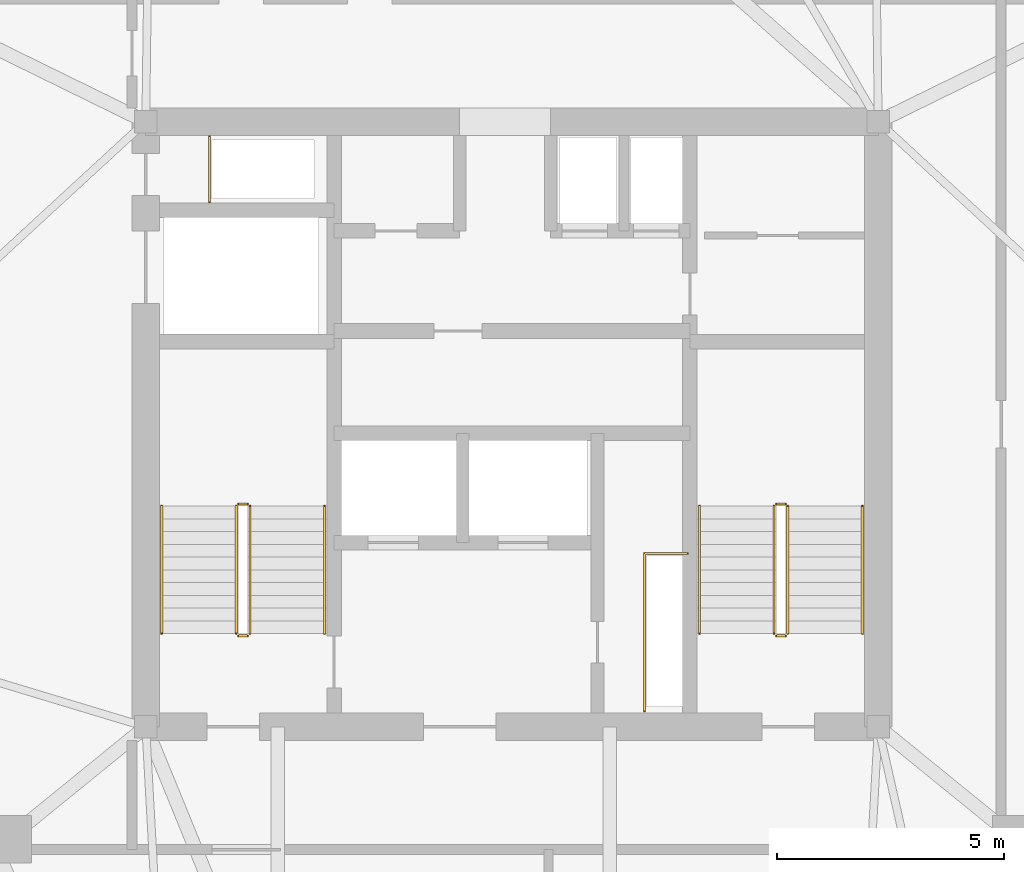
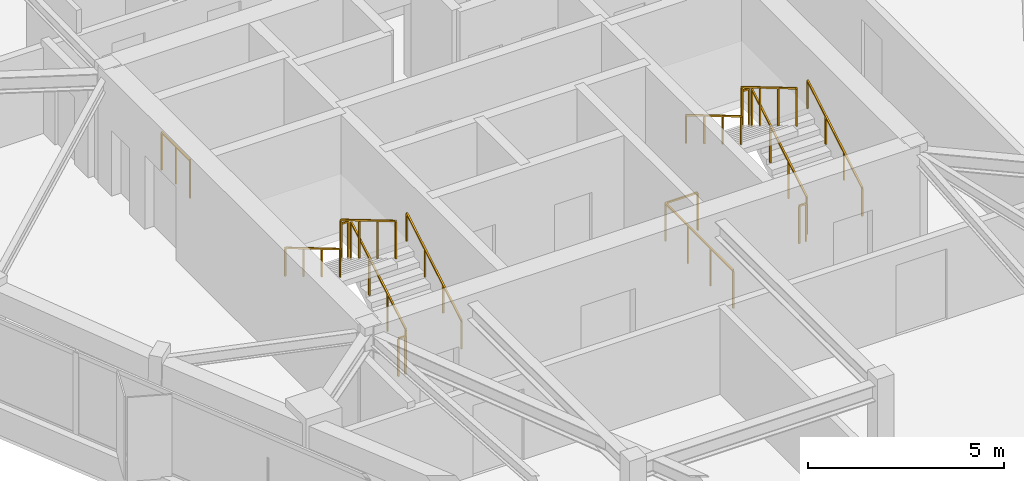
# One storey, part 9 of 9: 14 railings.
"""IFC4 building model written with IfcOpenShell, lengths in metres."""

from ifc_helpers import new_model, si_unit, direction, frame, origin, origin_2d, place, context, subcontext, project, spatial, rectangle, extrude, material, type_object, element, save


model = new_model("IFC4")

# Units and contexts
model_context = context("Model", 3, precision=1e-05, world=origin(), true_north=direction((0.0, 1.0)))
body_context = subcontext(model_context, "Body", "Model", "MODEL_VIEW")
ifc_project = project(units=[si_unit("LENGTHUNIT", "METRE"), si_unit("AREAUNIT", "SQUARE_METRE"), si_unit("VOLUMEUNIT", "CUBIC_METRE"), si_unit("PLANEANGLEUNIT", "RADIAN"), si_unit("MASSUNIT", "GRAM", prefix="KILO")], contexts=[model_context])

# Site, building, storey
site_placement = place(None, origin())
site = spatial("IfcSite", under=ifc_project, at=site_placement, CompositionType="ELEMENT")
building_placement = place(site_placement, origin())
building = spatial("IfcBuilding", under=site, at=building_placement, Name="Talyreon Biosciences Tower", CompositionType="ELEMENT")
storey_placement = place(building_placement, frame((0.0, 0.0, 305.699951171875)))
storey = spatial("IfcBuildingStorey", under=building, at=storey_placement, Name="L81", CompositionType="ELEMENT", Elevation=305.699951171875)

# Railings
ifc_material_1 = material(Name="Brushed stainless-steel tubular handrail", Category="steel")
railing_type_1 = type_object("IfcRailingType", Name="StairWallHandrail_900", PredefinedType="HANDRAIL", material=ifc_material_1)
railing_1_placement = place(storey_placement, frame((61.8798828125, 63.39990234375, 0.166015625)))
element("IfcRailing", 1, at=railing_1_placement, inside=storey, type_object=railing_type_1, Name="L81 ST-1 stair handrail 1", PredefinedType="HANDRAIL", context=body_context, shape_type="SweptSolid", body=[
    extrude(rectangle(XDim=0.048095703125, YDim=0.048095703125, at=origin_2d()), frame((0.0, 0.0, 0.8759765625), z_axis=(0.0, 0.860339051648, 0.50972219513), x_axis=(-1.0, 0.0, 0.0)), (0.0, 0.0, 1.0), 3.254638671875),
    extrude(rectangle(XDim=0.0419921875, YDim=0.0419921875, at=origin_2d()), origin(), (0.0, 0.0, 1.0), 0.851806640625),
    extrude(rectangle(XDim=0.0419921875, YDim=0.0419921875, at=origin_2d()), frame((0.0, 0.933349609375, 0.552978515625)), (0.0, 0.0, 1.0), 0.851806640625),
    extrude(rectangle(XDim=0.0419921875, YDim=0.0419921875, at=origin_2d()), frame((0.0, 1.86669921875, 1.10595703125)), (0.0, 0.0, 1.0), 0.851806640625),
    extrude(rectangle(XDim=0.0419921875, YDim=0.0419921875, at=origin_2d()), frame((0.0, 2.800048828125, 1.658935546875)), (0.0, 0.0, 1.0), 0.851806640625),
])
railing_2_placement = place(storey_placement, frame((58.300048828125, 66.199951171875, 1.990966796875)))
element("IfcRailing", 2, at=railing_2_placement, inside=storey, type_object=railing_type_1, Name="L81 ST-1 stair handrail 2", PredefinedType="HANDRAIL", context=body_context, shape_type="SweptSolid", body=[
    extrude(rectangle(XDim=0.048095703125, YDim=0.048095703125, at=origin_2d()), frame((0.0, 0.0, 0.8759765625), z_axis=(0.0, -0.860306154799, 0.50977771628), x_axis=(1.0, 0.0, 0.0)), (0.0, 0.0, 1.0), 3.254638671875),
    extrude(rectangle(XDim=0.0419921875, YDim=0.0419921875, at=origin_2d()), origin(), (0.0, 0.0, 1.0), 0.851806640625),
    extrude(rectangle(XDim=0.0419921875, YDim=0.0419921875, at=origin_2d()), frame((0.0, -0.933349609375, 0.552978515625)), (0.0, 0.0, 1.0), 0.851806640625),
    extrude(rectangle(XDim=0.0419921875, YDim=0.0419921875, at=origin_2d()), frame((0.0, -1.86669921875, 1.106201171875)), (0.0, 0.0, 1.0), 0.851806640625),
    extrude(rectangle(XDim=0.0419921875, YDim=0.0419921875, at=origin_2d()), frame((0.0, -2.800048828125, 1.6591796875)), (0.0, 0.0, 1.0), 0.851806640625),
])
railing_3_placement = place(storey_placement, frame((73.699951171875, 63.39990234375, 0.166015625)))
element("IfcRailing", 3, at=railing_3_placement, inside=storey, type_object=railing_type_1, Name="L81 ST-2 stair handrail 1", PredefinedType="HANDRAIL", context=body_context, shape_type="SweptSolid", body=[
    extrude(rectangle(XDim=0.048095703125, YDim=0.048095703125, at=origin_2d()), frame((0.0, 0.0, 0.8759765625), z_axis=(0.0, 0.860339051648, 0.50972219513), x_axis=(-1.0, 0.0, 0.0)), (0.0, 0.0, 1.0), 3.254638671875),
    extrude(rectangle(XDim=0.0419921875, YDim=0.0419921875, at=origin_2d()), origin(), (0.0, 0.0, 1.0), 0.851806640625),
    extrude(rectangle(XDim=0.0419921875, YDim=0.0419921875, at=origin_2d()), frame((0.0, 0.933349609375, 0.552978515625)), (0.0, 0.0, 1.0), 0.851806640625),
    extrude(rectangle(XDim=0.0419921875, YDim=0.0419921875, at=origin_2d()), frame((0.0, 1.86669921875, 1.10595703125)), (0.0, 0.0, 1.0), 0.851806640625),
    extrude(rectangle(XDim=0.0419921875, YDim=0.0419921875, at=origin_2d()), frame((0.0, 2.800048828125, 1.658935546875)), (0.0, 0.0, 1.0), 0.851806640625),
])
railing_4_placement = place(storey_placement, frame((70.1201171875, 66.199951171875, 1.990966796875)))
element("IfcRailing", 4, at=railing_4_placement, inside=storey, type_object=railing_type_1, Name="L81 ST-2 stair handrail 2", PredefinedType="HANDRAIL", context=body_context, shape_type="SweptSolid", body=[
    extrude(rectangle(XDim=0.048095703125, YDim=0.048095703125, at=origin_2d()), frame((0.0, 0.0, 0.8759765625), z_axis=(0.0, -0.860306154799, 0.50977771628), x_axis=(1.0, 0.0, 0.0)), (0.0, 0.0, 1.0), 3.254638671875),
    extrude(rectangle(XDim=0.0419921875, YDim=0.0419921875, at=origin_2d()), origin(), (0.0, 0.0, 1.0), 0.851806640625),
    extrude(rectangle(XDim=0.0419921875, YDim=0.0419921875, at=origin_2d()), frame((0.0, -0.933349609375, 0.552978515625)), (0.0, 0.0, 1.0), 0.851806640625),
    extrude(rectangle(XDim=0.0419921875, YDim=0.0419921875, at=origin_2d()), frame((0.0, -1.86669921875, 1.106201171875)), (0.0, 0.0, 1.0), 0.851806640625),
    extrude(rectangle(XDim=0.0419921875, YDim=0.0419921875, at=origin_2d()), frame((0.0, -2.800048828125, 1.6591796875)), (0.0, 0.0, 1.0), 0.851806640625),
])
ifc_material_2 = material(Name="Painted galvanised steel post-and-rail balustrade", Category="steel")
railing_type_2 = type_object("IfcRailingType", Name="TerraceStairGuard_1200", PredefinedType="GUARDRAIL", material=ifc_material_2)
railing_5_placement = place(storey_placement, frame((60.239990234375, 63.39990234375, 0.166015625)))
element("IfcRailing", 5, at=railing_5_placement, inside=storey, type_object=railing_type_2, Name="L81 ST-1 stair guard 1", PredefinedType="GUARDRAIL", context=body_context, shape_type="SweptSolid", body=[
    extrude(rectangle(XDim=0.048095703125, YDim=0.048095703125, at=origin_2d()), frame((0.0, 0.0, 1.17578125), z_axis=(0.0, 0.860339051648, 0.50972219513), x_axis=(-1.0, 0.0, 0.0)), (0.0, 0.0, 1.0), 3.254638671875),
    extrude(rectangle(XDim=0.0419921875, YDim=0.0419921875, at=origin_2d()), origin(), (0.0, 0.0, 1.0), 1.15185546875),
    extrude(rectangle(XDim=0.0419921875, YDim=0.0419921875, at=origin_2d()), frame((0.0, 0.933349609375, 0.552978515625)), (0.0, 0.0, 1.0), 1.15185546875),
    extrude(rectangle(XDim=0.0419921875, YDim=0.0419921875, at=origin_2d()), frame((0.0, 1.86669921875, 1.10595703125)), (0.0, 0.0, 1.0), 1.15185546875),
    extrude(rectangle(XDim=0.0419921875, YDim=0.0419921875, at=origin_2d()), frame((0.0, 2.800048828125, 1.658935546875)), (0.0, 0.0, 1.0), 1.15185546875),
])
railing_6_placement = place(storey_placement, frame((60.18994140625, 66.25, 1.824951171875)))
element("IfcRailing", 6, at=railing_6_placement, inside=storey, type_object=railing_type_2, Name="L81 ST-1 stair guard 2", PredefinedType="GUARDRAIL", context=body_context, shape_type="SweptSolid", body=[
    extrude(rectangle(XDim=0.048095703125, YDim=0.048095703125, at=origin_2d()), frame((0.0, 0.0, 1.17578125), z_axis=(-1.0, 0.0, 0.0), x_axis=(0.0, -1.0, 0.0)), (0.0, 0.0, 1.0), 0.199951171875),
    extrude(rectangle(XDim=0.0419921875, YDim=0.0419921875, at=origin_2d()), origin(), (0.0, 0.0, 1.0), 1.15185546875),
    extrude(rectangle(XDim=0.0419921875, YDim=0.0419921875, at=origin_2d()), frame((-0.199951171875, 0.0, 0.0)), (0.0, 0.0, 1.0), 1.15185546875),
])
railing_7_placement = place(storey_placement, frame((59.93994140625, 66.199951171875, 1.990966796875)))
element("IfcRailing", 7, at=railing_7_placement, inside=storey, type_object=railing_type_2, Name="L81 ST-1 stair guard 3", PredefinedType="GUARDRAIL", context=body_context, shape_type="SweptSolid", body=[
    extrude(rectangle(XDim=0.048095703125, YDim=0.048095703125, at=origin_2d()), frame((0.0, 0.0, 1.17578125), z_axis=(0.0, -0.860306154799, 0.50977771628), x_axis=(1.0, 0.0, 0.0)), (0.0, 0.0, 1.0), 3.254638671875),
    extrude(rectangle(XDim=0.0419921875, YDim=0.0419921875, at=origin_2d()), origin(), (0.0, 0.0, 1.0), 1.15185546875),
    extrude(rectangle(XDim=0.0419921875, YDim=0.0419921875, at=origin_2d()), frame((0.0, -0.933349609375, 0.552978515625)), (0.0, 0.0, 1.0), 1.15185546875),
    extrude(rectangle(XDim=0.0419921875, YDim=0.0419921875, at=origin_2d()), frame((0.0, -1.86669921875, 1.106201171875)), (0.0, 0.0, 1.0), 1.15185546875),
    extrude(rectangle(XDim=0.0419921875, YDim=0.0419921875, at=origin_2d()), frame((0.0, -2.800048828125, 1.6591796875)), (0.0, 0.0, 1.0), 1.15185546875),
])
railing_8_placement = place(storey_placement, frame((60.18994140625, 63.35009765625, 0.0)))
element("IfcRailing", 8, at=railing_8_placement, inside=storey, type_object=railing_type_2, Name="L81 ST-1 stair guard 4", PredefinedType="GUARDRAIL", context=body_context, shape_type="SweptSolid", body=[
    extrude(rectangle(XDim=0.048095703125, YDim=0.048095703125, at=origin_2d()), frame((0.0, 0.0, 1.17578125), z_axis=(-1.0, 0.0, 0.0), x_axis=(0.0, -1.0, 0.0)), (0.0, 0.0, 1.0), 0.199951171875),
    extrude(rectangle(XDim=0.0419921875, YDim=0.0419921875, at=origin_2d()), origin(), (0.0, 0.0, 1.0), 1.15185546875),
    extrude(rectangle(XDim=0.0419921875, YDim=0.0419921875, at=origin_2d()), frame((-0.199951171875, 0.0, 0.0)), (0.0, 0.0, 1.0), 1.15185546875),
])
railing_9_placement = place(storey_placement, frame((72.06005859375, 63.39990234375, 0.166015625)))
element("IfcRailing", 9, at=railing_9_placement, inside=storey, type_object=railing_type_2, Name="L81 ST-2 stair guard 1", PredefinedType="GUARDRAIL", context=body_context, shape_type="SweptSolid", body=[
    extrude(rectangle(XDim=0.048095703125, YDim=0.048095703125, at=origin_2d()), frame((0.0, 0.0, 1.17578125), z_axis=(0.0, 0.860339051648, 0.50972219513), x_axis=(-1.0, 0.0, 0.0)), (0.0, 0.0, 1.0), 3.254638671875),
    extrude(rectangle(XDim=0.0419921875, YDim=0.0419921875, at=origin_2d()), origin(), (0.0, 0.0, 1.0), 1.15185546875),
    extrude(rectangle(XDim=0.0419921875, YDim=0.0419921875, at=origin_2d()), frame((0.0, 0.933349609375, 0.552978515625)), (0.0, 0.0, 1.0), 1.15185546875),
    extrude(rectangle(XDim=0.0419921875, YDim=0.0419921875, at=origin_2d()), frame((0.0, 1.86669921875, 1.10595703125)), (0.0, 0.0, 1.0), 1.15185546875),
    extrude(rectangle(XDim=0.0419921875, YDim=0.0419921875, at=origin_2d()), frame((0.0, 2.800048828125, 1.658935546875)), (0.0, 0.0, 1.0), 1.15185546875),
])
railing_10_placement = place(storey_placement, frame((72.010009765625, 66.25, 1.824951171875)))
element("IfcRailing", 10, at=railing_10_placement, inside=storey, type_object=railing_type_2, Name="L81 ST-2 stair guard 2", PredefinedType="GUARDRAIL", context=body_context, shape_type="SweptSolid", body=[
    extrude(rectangle(XDim=0.048095703125, YDim=0.048095703125, at=origin_2d()), frame((0.0, 0.0, 1.17578125), z_axis=(-1.0, 0.0, 0.0), x_axis=(0.0, -1.0, 0.0)), (0.0, 0.0, 1.0), 0.199951171875),
    extrude(rectangle(XDim=0.0419921875, YDim=0.0419921875, at=origin_2d()), origin(), (0.0, 0.0, 1.0), 1.15185546875),
    extrude(rectangle(XDim=0.0419921875, YDim=0.0419921875, at=origin_2d()), frame((-0.199951171875, 0.0, 0.0)), (0.0, 0.0, 1.0), 1.15185546875),
])
railing_11_placement = place(storey_placement, frame((71.760009765625, 66.199951171875, 1.990966796875)))
element("IfcRailing", 11, at=railing_11_placement, inside=storey, type_object=railing_type_2, Name="L81 ST-2 stair guard 3", PredefinedType="GUARDRAIL", context=body_context, shape_type="SweptSolid", body=[
    extrude(rectangle(XDim=0.048095703125, YDim=0.048095703125, at=origin_2d()), frame((0.0, 0.0, 1.17578125), z_axis=(0.0, -0.860306154799, 0.50977771628), x_axis=(1.0, 0.0, 0.0)), (0.0, 0.0, 1.0), 3.254638671875),
    extrude(rectangle(XDim=0.0419921875, YDim=0.0419921875, at=origin_2d()), origin(), (0.0, 0.0, 1.0), 1.15185546875),
    extrude(rectangle(XDim=0.0419921875, YDim=0.0419921875, at=origin_2d()), frame((0.0, -0.933349609375, 0.552978515625)), (0.0, 0.0, 1.0), 1.15185546875),
    extrude(rectangle(XDim=0.0419921875, YDim=0.0419921875, at=origin_2d()), frame((0.0, -1.86669921875, 1.106201171875)), (0.0, 0.0, 1.0), 1.15185546875),
    extrude(rectangle(XDim=0.0419921875, YDim=0.0419921875, at=origin_2d()), frame((0.0, -2.800048828125, 1.6591796875)), (0.0, 0.0, 1.0), 1.15185546875),
])
railing_12_placement = place(storey_placement, frame((72.010009765625, 63.35009765625, 0.0)))
element("IfcRailing", 12, at=railing_12_placement, inside=storey, type_object=railing_type_2, Name="L81 ST-2 stair guard 4", PredefinedType="GUARDRAIL", context=body_context, shape_type="SweptSolid", body=[
    extrude(rectangle(XDim=0.048095703125, YDim=0.048095703125, at=origin_2d()), frame((0.0, 0.0, 1.17578125), z_axis=(-1.0, 0.0, 0.0), x_axis=(0.0, -1.0, 0.0)), (0.0, 0.0, 1.0), 0.199951171875),
    extrude(rectangle(XDim=0.0419921875, YDim=0.0419921875, at=origin_2d()), origin(), (0.0, 0.0, 1.0), 1.15185546875),
    extrude(rectangle(XDim=0.0419921875, YDim=0.0419921875, at=origin_2d()), frame((-0.199951171875, 0.0, 0.0)), (0.0, 0.0, 1.0), 1.15185546875),
])
railing_13_placement = place(storey_placement, frame((59.35009765625, 72.8798828125, 0.0)))
element("IfcRailing", 13, at=railing_13_placement, inside=storey, type_object=railing_type_2, Name="L81 Exhaust Riser Maintenance Guardrail", PredefinedType="GUARDRAIL", context=body_context, shape_type="SweptSolid", body=[
    extrude(rectangle(XDim=0.048095703125, YDim=0.048095703125, at=origin_2d()), frame((0.0, 0.0, 1.17578125), z_axis=(0.0, 1.0, 0.0), x_axis=(-1.0, 0.0, 0.0)), (0.0, 0.0, 1.0), 1.4501953125),
    extrude(rectangle(XDim=0.0419921875, YDim=0.0419921875, at=origin_2d()), origin(), (0.0, 0.0, 1.0), 1.15185546875),
    extrude(rectangle(XDim=0.0419921875, YDim=0.0419921875, at=origin_2d()), frame((0.0, 0.72509765625, 0.0)), (0.0, 0.0, 1.0), 1.15185546875),
    extrude(rectangle(XDim=0.0419921875, YDim=0.0419921875, at=origin_2d()), frame((0.0, 1.4501953125, 0.0)), (0.0, 0.0, 1.0), 1.15185546875),
])
railing_14_placement = place(storey_placement, frame((68.909912109375, 61.699951171875, 0.0)))
element("IfcRailing", 14, at=railing_14_placement, inside=storey, type_object=railing_type_2, Name="L81 Electrical Riser Maintenance Guardrail", PredefinedType="GUARDRAIL", context=body_context, shape_type="SweptSolid", body=[
    extrude(rectangle(XDim=0.048095703125, YDim=0.048095703125, at=origin_2d()), frame((0.0, 0.0, 1.17578125), z_axis=(0.0, 1.0, 0.0), x_axis=(-1.0, 0.0, 0.0)), (0.0, 0.0, 1.0), 3.4599609375),
    extrude(rectangle(XDim=0.048095703125, YDim=0.048095703125, at=origin_2d()), frame((0.0, 3.4599609375, 1.17578125), z_axis=(1.0, 0.0, 0.0), x_axis=(0.0, 1.0, 0.0)), (0.0, 0.0, 1.0), 0.9501953125),
    extrude(rectangle(XDim=0.0419921875, YDim=0.0419921875, at=origin_2d()), origin(), (0.0, 0.0, 1.0), 1.15185546875),
    extrude(rectangle(XDim=0.0419921875, YDim=0.0419921875, at=origin_2d()), frame((0.0, 1.1533203125, 0.0)), (0.0, 0.0, 1.0), 1.15185546875),
    extrude(rectangle(XDim=0.0419921875, YDim=0.0419921875, at=origin_2d()), frame((0.0, 2.306640625, 0.0)), (0.0, 0.0, 1.0), 1.15185546875),
    extrude(rectangle(XDim=0.0419921875, YDim=0.0419921875, at=origin_2d()), frame((0.0, 3.4599609375, 0.0)), (0.0, 0.0, 1.0), 1.15185546875),
    extrude(rectangle(XDim=0.0419921875, YDim=0.0419921875, at=origin_2d()), frame((0.9501953125, 3.4599609375, 0.0)), (0.0, 0.0, 1.0), 1.15185546875),
])

save(model, "model.ifc")
